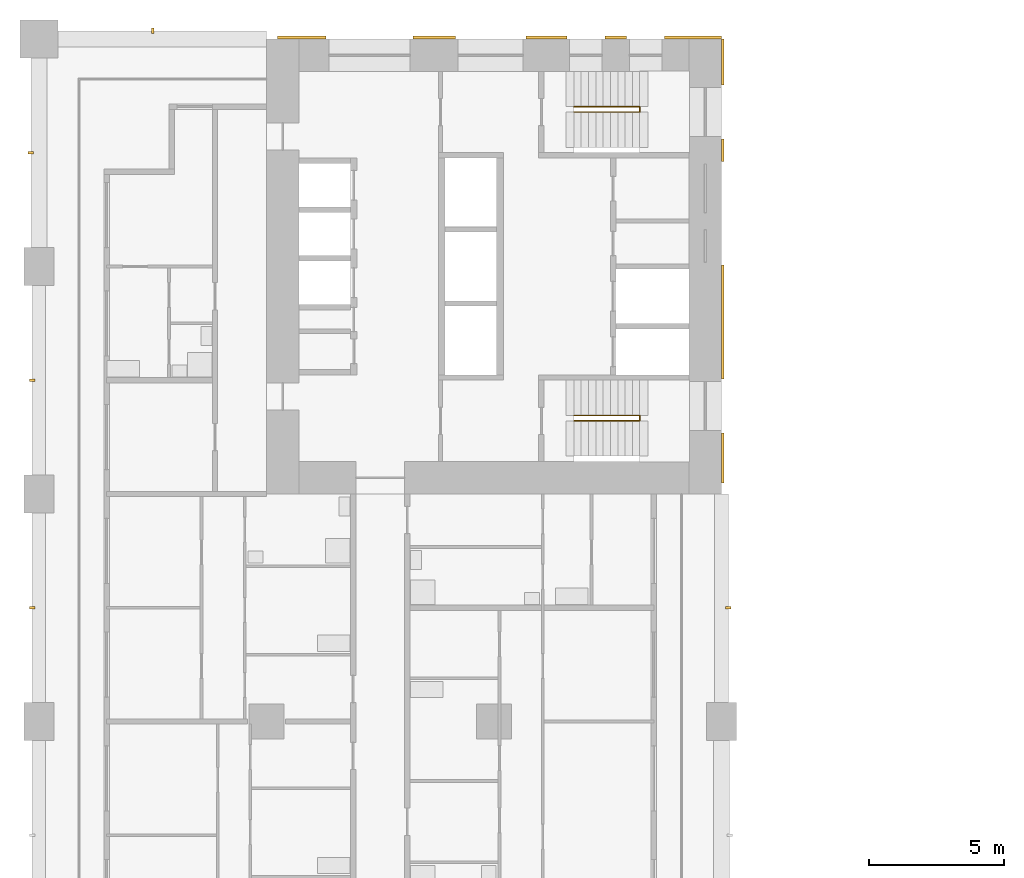
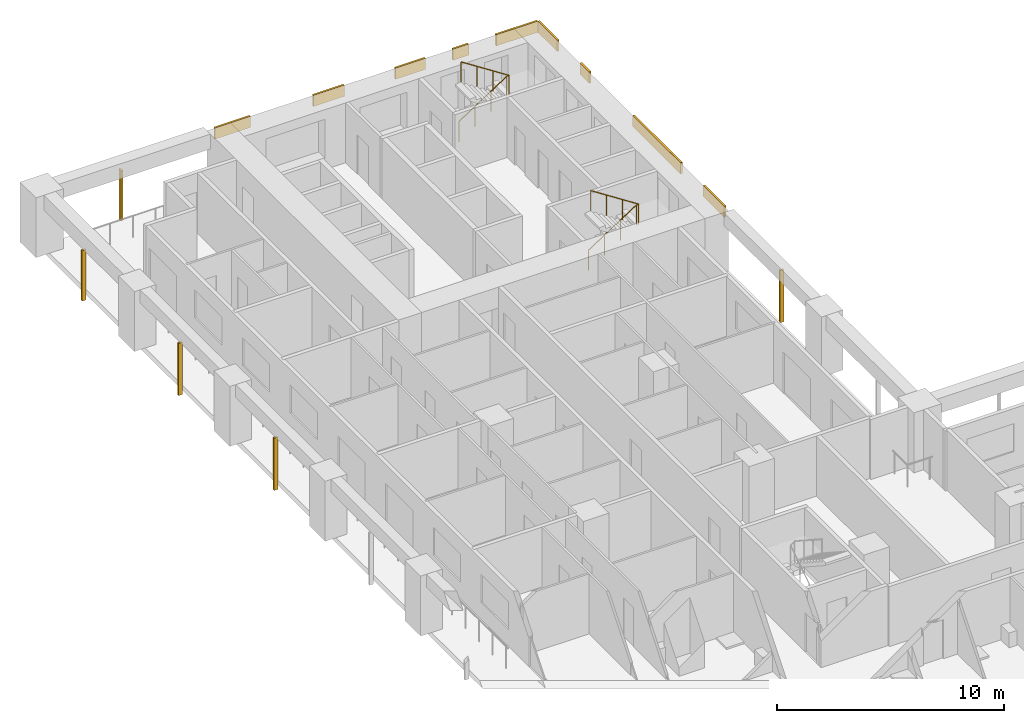
# One storey, part 16 of 19: 14 shading devices, 2 railings.
"""IFC4 building model written with IfcOpenShell, lengths in metres."""

from ifc_helpers import new_model, si_unit, direction, frame, origin, origin_2d, place, context, subcontext, project, spatial, rectangle, circle, extrude, material, layer, layer_set, material_profile, profile_set, type_object, element, save


model = new_model("IFC4")

# Units and contexts
model_context = context("Model", 3, precision=1e-05, world=origin(), true_north=direction((0.0, 1.0)))
body_context = subcontext(model_context, "Body", "Model", "MODEL_VIEW")
ifc_project = project(units=[si_unit("LENGTHUNIT", "METRE"), si_unit("AREAUNIT", "SQUARE_METRE"), si_unit("VOLUMEUNIT", "CUBIC_METRE"), si_unit("PLANEANGLEUNIT", "RADIAN"), si_unit("MASSUNIT", "GRAM", prefix="KILO")], contexts=[model_context])

# Site, building, storey
site_placement = place(None, origin())
site = spatial("IfcSite", under=ifc_project, at=site_placement, CompositionType="ELEMENT")
building_placement = place(site_placement, origin())
building = spatial("IfcBuilding", under=site, at=building_placement, Name="Vermilion Gate Residences", CompositionType="ELEMENT")
storey_placement = place(building_placement, frame((0.0, 0.0, 53.199951171875)))
storey = spatial("IfcBuildingStorey", under=building, at=storey_placement, Name="L12", CompositionType="ELEMENT", Elevation=53.199951171875)

# Railings
ifc_material_1 = material(Name="Steel S355", Category="steel")
railing_type = type_object("IfcRailingType", Name="STAIR GUARD 1100 STEEL", PredefinedType="GUARDRAIL", material=ifc_material_1)
for number, where, name in (
    (1, (19.75, 56.300048828125, 0.175048828125), "Stair well guard STB1-12"),
    (2, (19.75, 44.89990234375, 0.175048828125), "Stair well guard STB2-12"),
):
    element("IfcRailing", number, at=place(storey_placement, frame(where)), inside=storey, type_object=railing_type, Name=name, PredefinedType="GUARDRAIL", context=body_context, shape_type="SweptSolid", body=[
        extrude(circle(Radius=0.02392578125, at=origin_2d()), frame((0.0, 0.0, 1.076171875), z_axis=(0.839153699163, 0.0, 0.543894354798), x_axis=(0.0, 1.0, 0.0)), (0.0, 0.0, 1.0), 2.895751953125),
        extrude(circle(Radius=0.02392578125, at=origin_2d()), frame((2.429931640625, 0.0, 2.65087890625), z_axis=(0.0, -0.752405939678, 0.658699705433), x_axis=(1.0, 0.0, 0.0)), (0.0, 0.0, 1.0), 0.265869140625),
        extrude(circle(Radius=0.02392578125, at=origin_2d()), frame((2.429931640625, -0.199951171875, 2.826171875), z_axis=(-0.839153699163, 0.0, 0.543894354798), x_axis=(0.0, -1.0, 0.0)), (0.0, 0.0, 1.0), 2.895751953125),
        extrude(circle(Radius=0.02099609375, at=origin_2d()), origin(), (0.0, 0.0, 1.0), 1.052001953125),
        extrude(circle(Radius=0.02099609375, at=origin_2d()), frame((0.81005859375, 0.0, 0.52490234375)), (0.0, 0.0, 1.0), 1.052001953125),
        extrude(circle(Radius=0.02099609375, at=origin_2d()), frame((1.619873046875, 0.0, 1.050048828125)), (0.0, 0.0, 1.0), 1.052001953125),
        extrude(circle(Radius=0.02099609375, at=origin_2d()), frame((2.429931640625, 0.0, 1.574951171875)), (0.0, 0.0, 1.0), 1.052001953125),
        extrude(circle(Radius=0.02099609375, at=origin_2d()), frame((2.429931640625, -0.199951171875, 1.75)), (0.0, 0.0, 1.0), 1.052001953125),
        extrude(circle(Radius=0.02099609375, at=origin_2d()), frame((1.619873046875, -0.199951171875, 2.27490234375)), (0.0, 0.0, 1.0), 1.052001953125),
        extrude(circle(Radius=0.02099609375, at=origin_2d()), frame((0.81005859375, -0.199951171875, 2.800048828125)), (0.0, 0.0, 1.0), 1.052001953125),
        extrude(circle(Radius=0.02099609375, at=origin_2d()), frame((0.0, -0.199951171875, 3.324951171875)), (0.0, 0.0, 1.0), 1.052001953125),
    ])

# Shading devices
ifc_material_2 = material(Name="Extruded terracotta", Category="masonry")
ifc_material_profile = material_profile(ifc_material_2, rectangle(XDim=0.199951171875, YDim=0.10009765625, at=origin_2d()), Name="BAGUETTE 100 X 200")
ifc_profile_set = profile_set([ifc_material_profile], Name="Extruded terracotta")
shading_device_type_1 = type_object("IfcShadingDeviceType", Name="TERRACOTTA BAGUETTE 100 X 200", PredefinedType="JALOUSIE", material=ifc_profile_set)
shading_device_1_placement = place(storey_placement, frame((25.449951171875, 37.800048828125, -0.280029296875), z_axis=(0.0, 0.0, 1.0), x_axis=(-1.0, 0.0, 0.0)))
element("IfcShadingDevice", 3, at=shading_device_1_placement, inside=storey, type_object=shading_device_type_1, Name="BAGUETTE", PredefinedType="JALOUSIE", context=body_context, shape_type="SweptSolid", body=[
    extrude(rectangle(XDim=0.199951171875, YDim=0.10009765625, at=origin_2d()), origin(), (0.0, 0.0, 1.0), 2.800048828125),
])
shading_device_2_placement = place(storey_placement, frame((4.199951171875, 59.10009765625, -0.280029296875), z_axis=(0.0, 0.0, 1.0), x_axis=(0.0, -1.0, 0.0)))
element("IfcShadingDevice", 4, at=shading_device_2_placement, inside=storey, type_object=shading_device_type_1, Name="BAGUETTE", PredefinedType="JALOUSIE", context=body_context, shape_type="SweptSolid", body=[
    extrude(rectangle(XDim=0.199951171875, YDim=0.10009765625, at=origin_2d()), origin(), (0.0, 0.0, 1.0), 2.7001953125),
])
for number, where, z_axis, x_axis, name in (
    (5, (-0.25, 37.800048828125, -0.280029296875), (0.0, 0.0, 1.0), (1.0, 0.0, 0.0), "BAGUETTE"),
    (6, (-0.25, 46.199951171875, -0.280029296875), (0.0, 0.0, 1.0), (1.0, 0.0, 0.0), "BAGUETTE"),
):
    element("IfcShadingDevice", number, at=place(storey_placement, frame(where, z_axis=z_axis, x_axis=x_axis)), inside=storey, type_object=shading_device_type_1, Name=name, PredefinedType="JALOUSIE", context=body_context, shape_type="SweptSolid", body=[
        extrude(rectangle(XDim=0.199951171875, YDim=0.10009765625, at=origin_2d()), origin(), (0.0, 0.0, 1.0), 2.800048828125),
    ])
shading_device_3_placement = place(storey_placement, frame((-0.300048828125, 54.60009765625, -0.280029296875), z_axis=(0.0, 0.0, 1.0), x_axis=(1.0, 0.0, 0.0)))
element("IfcShadingDevice", 7, at=shading_device_3_placement, inside=storey, type_object=shading_device_type_1, Name="BAGUETTE", PredefinedType="JALOUSIE", context=body_context, shape_type="SweptSolid", body=[
    extrude(rectangle(XDim=0.199951171875, YDim=0.10009765625, at=origin_2d()), origin(), (0.0, 0.0, 1.0), 2.7001953125),
])
ifc_material_3 = material(Name="Extruded terracotta", Category="masonry")
ifc_layer = layer(ifc_material_3, 0.10009765625)
ifc_layer_set = layer_set([ifc_layer], Name="TERRACOTTA SPANDREL BAND 600 X 100")
shading_device_type_2 = type_object("IfcShadingDeviceType", Name="TERRACOTTA SPANDREL BAND 600 X 100", PredefinedType="USERDEFINED", material=ifc_layer_set)
shading_device_4_placement = place(storey_placement, frame((9.702392578125, 58.85009765625, 2.6201171875), z_axis=(0.0, 0.0, 1.0), x_axis=(1.0, 0.0, 0.0)))
element("IfcShadingDevice", 8, at=shading_device_4_placement, inside=storey, type_object=shading_device_type_2, Name="SPANDREL BAND", ObjectType="BAND", PredefinedType="USERDEFINED", context=body_context, shape_type="SweptSolid", body=[
    extrude(rectangle(XDim=1.804931640625, YDim=0.10009765625, at=origin_2d()), origin(), (0.0, 0.0, 1.0), 0.60009765625),
])
shading_device_5_placement = place(storey_placement, frame((14.590087890625, 58.85009765625, 2.6201171875), z_axis=(0.0, 0.0, 1.0), x_axis=(1.0, 0.0, 0.0)))
element("IfcShadingDevice", 9, at=shading_device_5_placement, inside=storey, type_object=shading_device_type_2, Name="SPANDREL BAND", ObjectType="BAND", PredefinedType="USERDEFINED", context=body_context, shape_type="SweptSolid", body=[
    extrude(rectangle(XDim=1.570068359375, YDim=0.10009765625, at=origin_2d()), origin(), (0.0, 0.0, 1.0), 0.60009765625),
])
shading_device_6_placement = place(storey_placement, frame((18.734130859375, 58.85009765625, 2.6201171875), z_axis=(0.0, 0.0, 1.0), x_axis=(1.0, 0.0, 0.0)))
element("IfcShadingDevice", 10, at=shading_device_6_placement, inside=storey, type_object=shading_device_type_2, Name="SPANDREL BAND", ObjectType="BAND", PredefinedType="USERDEFINED", context=body_context, shape_type="SweptSolid", body=[
    extrude(rectangle(XDim=1.518310546875, YDim=0.10009765625, at=origin_2d()), origin(), (0.0, 0.0, 1.0), 0.60009765625),
])
shading_device_7_placement = place(storey_placement, frame((21.294921875, 58.85009765625, 2.6201171875), z_axis=(0.0, 0.0, 1.0), x_axis=(1.0, 0.0, 0.0)))
element("IfcShadingDevice", 11, at=shading_device_7_placement, inside=storey, type_object=shading_device_type_2, Name="SPANDREL BAND", ObjectType="BAND", PredefinedType="USERDEFINED", context=body_context, shape_type="SweptSolid", body=[
    extrude(rectangle(XDim=0.803466796875, YDim=0.10009765625, at=origin_2d()), origin(), (0.0, 0.0, 1.0), 0.60009765625),
])
shading_device_8_placement = place(storey_placement, frame((24.1484375, 58.85009765625, 2.6201171875), z_axis=(0.0, 0.0, 1.0), x_axis=(1.0, 0.0, 0.0)))
element("IfcShadingDevice", 12, at=shading_device_8_placement, inside=storey, type_object=shading_device_type_2, Name="SPANDREL BAND", ObjectType="BAND", PredefinedType="USERDEFINED", context=body_context, shape_type="SweptSolid", body=[
    extrude(rectangle(XDim=2.103271484375, YDim=0.10009765625, at=origin_2d()), origin(), (0.0, 0.0, 1.0), 0.60009765625),
])
shading_device_9_placement = place(storey_placement, frame((25.25, 43.324951171875, 2.6201171875), z_axis=(0.0, 0.0, 1.0), x_axis=(0.0, 1.0, 0.0)))
element("IfcShadingDevice", 13, at=shading_device_9_placement, inside=storey, type_object=shading_device_type_2, Name="SPANDREL BAND", ObjectType="BAND", PredefinedType="USERDEFINED", context=body_context, shape_type="SweptSolid", body=[
    extrude(rectangle(XDim=1.85009765625, YDim=0.10009765625, at=origin_2d()), origin(), (0.0, 0.0, 1.0), 0.60009765625),
])
shading_device_10_placement = place(storey_placement, frame((25.25, 48.35009765625, 2.6201171875), z_axis=(0.0, 0.0, 1.0), x_axis=(0.0, 1.0, 0.0)))
element("IfcShadingDevice", 14, at=shading_device_10_placement, inside=storey, type_object=shading_device_type_2, Name="SPANDREL BAND", ObjectType="BAND", PredefinedType="USERDEFINED", context=body_context, shape_type="SweptSolid", body=[
    extrude(rectangle(XDim=4.199951171875, YDim=0.10009765625, at=origin_2d()), origin(), (0.0, 0.0, 1.0), 0.60009765625),
])
shading_device_11_placement = place(storey_placement, frame((25.25, 54.6875, 2.6201171875), z_axis=(0.0, 0.0, 1.0), x_axis=(0.0, 1.0, 0.0)))
element("IfcShadingDevice", 15, at=shading_device_11_placement, inside=storey, type_object=shading_device_type_2, Name="SPANDREL BAND", ObjectType="BAND", PredefinedType="USERDEFINED", context=body_context, shape_type="SweptSolid", body=[
    extrude(rectangle(XDim=0.824951171875, YDim=0.10009765625, at=origin_2d()), origin(), (0.0, 0.0, 1.0), 0.60009765625),
])
shading_device_12_placement = place(storey_placement, frame((25.25, 57.949951171875, 2.6201171875), z_axis=(0.0, 0.0, 1.0), x_axis=(0.0, 1.0, 0.0)))
element("IfcShadingDevice", 16, at=shading_device_12_placement, inside=storey, type_object=shading_device_type_2, Name="SPANDREL BAND", ObjectType="BAND", PredefinedType="USERDEFINED", context=body_context, shape_type="SweptSolid", body=[
    extrude(rectangle(XDim=1.699951171875, YDim=0.10009765625, at=origin_2d()), origin(), (0.0, 0.0, 1.0), 0.60009765625),
])

save(model, "model.ifc")
